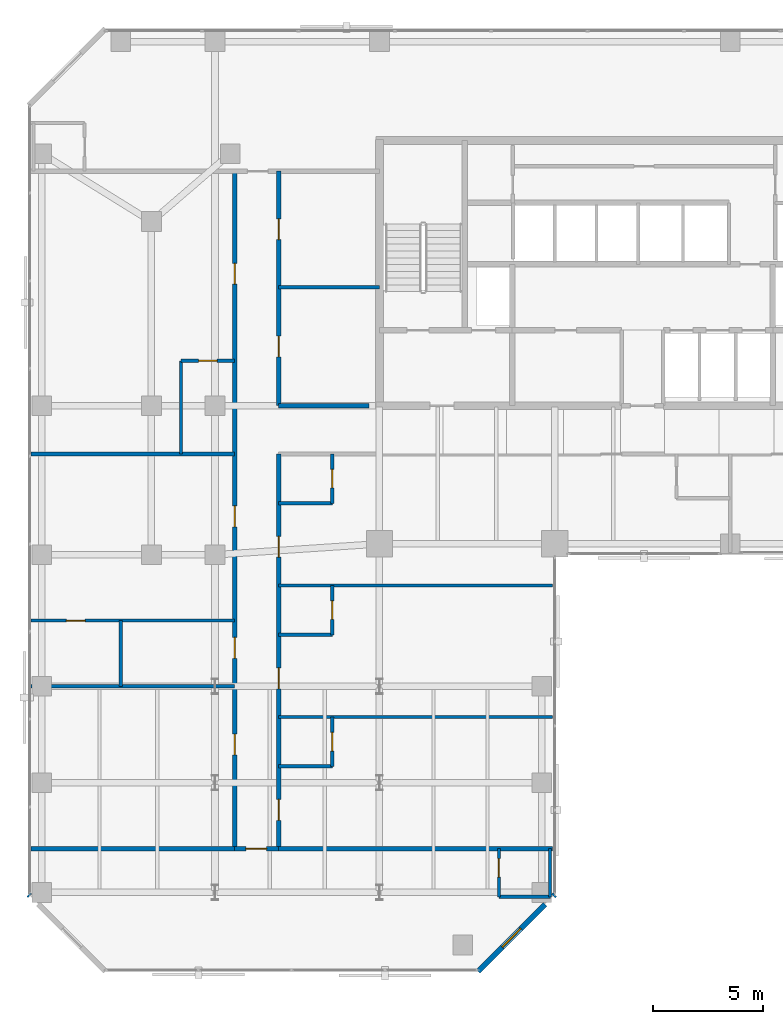
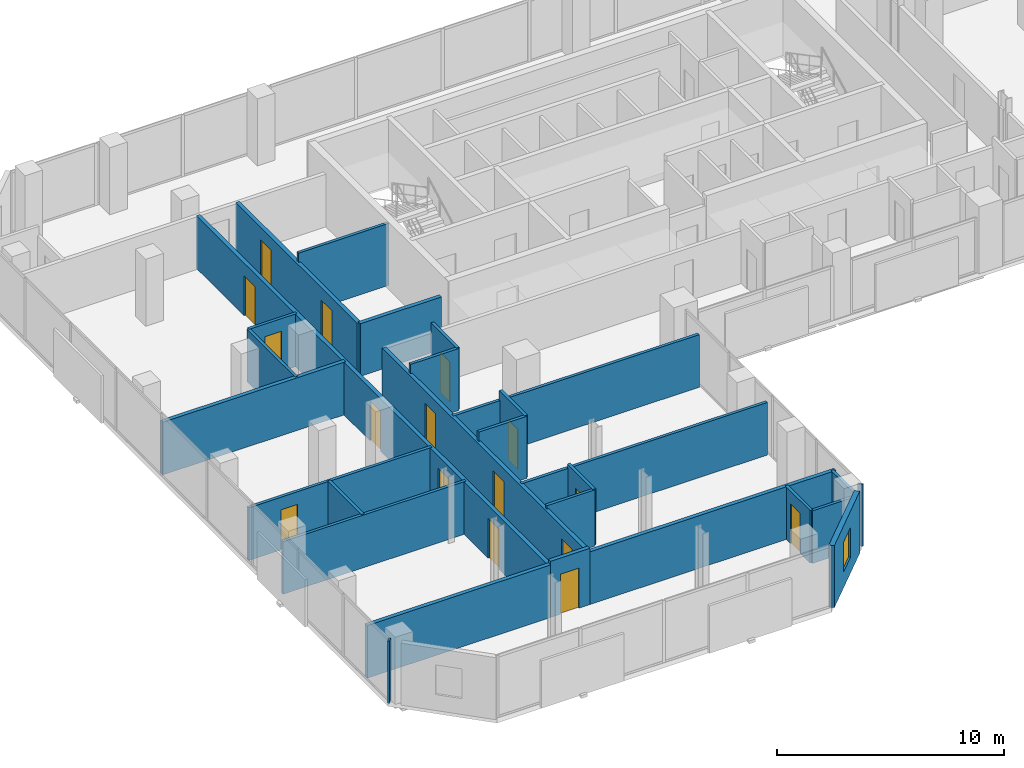
# One storey, part 28 of 34: 28 walls, 16 doors, 1 window, 17 openings.
"""IFC4 building model written with IfcOpenShell, lengths in metres."""

from ifc_helpers import new_model, si_unit, direction, frame, frame_2d, origin, place, context, subcontext, project, spatial, rectangle, extrude, material, layer, layer_set, type_object, element, fill, save


model = new_model("IFC4")

# Units and contexts
model_context = context("Model", 3, precision=1e-05, world=origin(), true_north=direction((0.0, 1.0)))
body_context = subcontext(model_context, "Body", "Model", "MODEL_VIEW")
ifc_project = project(units=[si_unit("LENGTHUNIT", "METRE"), si_unit("AREAUNIT", "SQUARE_METRE"), si_unit("VOLUMEUNIT", "CUBIC_METRE"), si_unit("PLANEANGLEUNIT", "RADIAN"), si_unit("MASSUNIT", "GRAM", prefix="KILO")], contexts=[model_context])

# Site, building, storey
site_placement = place(None, origin())
site = spatial("IfcSite", under=ifc_project, at=site_placement, CompositionType="ELEMENT")
building_placement = place(site_placement, origin())
building = spatial("IfcBuilding", under=site, at=building_placement, Name="Catumbela Crestline Tower", CompositionType="ELEMENT")
storey_placement = place(building_placement, frame((0.0, 0.0, 97.2)))
storey = spatial("IfcBuildingStorey", under=building, at=storey_placement, Name="L24", CompositionType="ELEMENT", Elevation=97.2)

# Walls
ifc_material_1 = material(Name="Acoustic gypsum and mineral-wool partition")
ifc_layer_1 = layer(ifc_material_1, 0.2, Name="Acoustic gypsum and mineral-wool partition")
ifc_layer_set_1 = layer_set([ifc_layer_1], Name="Acoustic gypsum and mineral-wool partition")
wall_type_1 = type_object("IfcWallType", Name="WC-200", PredefinedType="PARTITIONING", material=ifc_layer_set_1)
wall_1_placement = place(storey_placement, frame((0.1, 28.6, 0.0), z_axis=(0.0, 0.0, 1.0), x_axis=(1.0, 0.0, 0.0)))
element("IfcWall", 1, at=wall_1_placement, inside=storey, type_object=wall_type_1, Name="L24 Interior Partition PW-L24-Z2CW-N1", PredefinedType="PARTITIONING", context=body_context, shape_type="SweptSolid", body=[
    extrude(rectangle(XDim=9.3, YDim=0.2, at=frame_2d((4.65, 0.0))), origin(), (0.0, 0.0, 1.0), 2.83),
])
wall_2_placement = place(storey_placement, frame((11.4, 30.8, 0.0), z_axis=(0.0, 0.0, 1.0), x_axis=(1.0, 0.0, 0.0)))
element("IfcWall", 2, at=wall_2_placement, inside=storey, type_object=wall_type_1, Name="L24 Interior Partition PW-L24-Z2CW-N3", PredefinedType="PARTITIONING", context=body_context, shape_type="SweptSolid", body=[
    extrude(rectangle(XDim=4.13, YDim=0.2, at=frame_2d((2.065, 0.0))), origin(), (0.0, 0.0, 1.0), 2.83),
])

# Wall, openings, doors
wall_3_placement = place(storey_placement, frame((9.4, 10.6, 0.0), z_axis=(0.0, 0.0, 1.0), x_axis=(0.0, 1.0, 0.0)))
wall_3 = element("IfcWall", 3, at=wall_3_placement, inside=storey, type_object=wall_type_1, Name="L24 Interior Partition PW-L24-STWC-ENT", PredefinedType="PARTITIONING", context=body_context, shape_type="SweptSolid", body=[
    extrude(rectangle(XDim=30.9, YDim=0.2, at=frame_2d((15.45, 0.0))), origin(), (0.0, 0.0, 1.0), 2.83),
])
opening_1_placement = place(wall_3_placement, frame((8.6794, 0.0, 0.0)))
opening_1 = element("IfcOpeningElement", 4, at=opening_1_placement, cuts=wall_3, Name="Opening DF6-095", PredefinedType="OPENING", context=body_context, shape_type="SweptSolid", body=[
    extrude(rectangle(XDim=0.95, YDim=2.15, at=frame_2d((0.475, 1.075))), frame((0.0, 0.11, 0.0), z_axis=(0.0, -1.0, 0.0), x_axis=(1.0, 0.0, 0.0)), (0.0, 0.0, 1.0), 0.22),
])
opening_2_placement = place(wall_3_placement, frame((14.6795, 0.0, 0.0)))
opening_2 = element("IfcOpeningElement", 5, at=opening_2_placement, cuts=wall_3, Name="Opening DF6-095", PredefinedType="OPENING", context=body_context, shape_type="SweptSolid", body=[
    extrude(rectangle(XDim=0.95, YDim=2.15, at=frame_2d((0.475, 1.075))), frame((0.0, 0.11, 0.0), z_axis=(0.0, -1.0, 0.0), x_axis=(1.0, 0.0, 0.0)), (0.0, 0.0, 1.0), 0.22),
])
opening_3_placement = place(wall_3_placement, frame((4.2733, 0.0, 0.0)))
opening_3 = element("IfcOpeningElement", 6, at=opening_3_placement, cuts=wall_3, Name="Opening DF6-095", PredefinedType="OPENING", context=body_context, shape_type="SweptSolid", body=[
    extrude(rectangle(XDim=0.95, YDim=2.15, at=frame_2d((0.475, 1.075))), frame((0.0, 0.11, 0.0), z_axis=(0.0, -1.0, 0.0), x_axis=(1.0, 0.0, 0.0)), (0.0, 0.0, 1.0), 0.22),
])
opening_4_placement = place(wall_3_placement, frame((25.745, 0.0, 0.0)))
opening_4 = element("IfcOpeningElement", 7, at=opening_4_placement, cuts=wall_3, Name="Opening DF6-095", PredefinedType="OPENING", context=body_context, shape_type="SweptSolid", body=[
    extrude(rectangle(XDim=0.95, YDim=2.15, at=frame_2d((0.475, 1.075))), frame((0.0, 0.11, 0.0), z_axis=(0.0, -1.0, 0.0), x_axis=(1.0, 0.0, 0.0)), (0.0, 0.0, 1.0), 0.22),
])
ifc_material_2 = material(Name="Aluminium alloy AW-6060-T66", Category="aluminium")
door_type_1 = type_object("IfcDoorType", Name="DF6-095", OperationType="NOTDEFINED", PredefinedType="DOOR", material=ifc_material_2)
door_1_placement = place(opening_1_placement, origin())
door_1 = element("IfcDoor", 8, at=door_1_placement, inside=storey, type_object=door_type_1, Name="L24 Interior Door DR-L24-STWC-ENT", OperationType="SINGLE_SWING_RIGHT", OverallHeight=2.15, OverallWidth=0.95, PredefinedType="DOOR", context=body_context, shape_type="SweptSolid", body=[
    extrude(rectangle(XDim=0.95, YDim=2.15, at=frame_2d((0.475, 1.075))), frame((0.0, 0.025, 0.0), z_axis=(0.0, -1.0, 0.0), x_axis=(1.0, 0.0, 0.0)), (0.0, 0.0, 1.0), 0.05),
])
fill(opening_1, door_1)
door_2_placement = place(opening_2_placement, origin())
door_2 = element("IfcDoor", 9, at=door_2_placement, inside=storey, type_object=door_type_1, Name="L24 Interior Door DR-L24-HKP-ENT", OperationType="SINGLE_SWING_RIGHT", OverallHeight=2.15, OverallWidth=0.95, PredefinedType="DOOR", context=body_context, shape_type="SweptSolid", body=[
    extrude(rectangle(XDim=0.95, YDim=2.15, at=frame_2d((0.475, 1.075))), frame((0.0, 0.025, 0.0), z_axis=(0.0, -1.0, 0.0), x_axis=(1.0, 0.0, 0.0)), (0.0, 0.0, 1.0), 0.05),
])
fill(opening_2, door_2)
door_3_placement = place(opening_3_placement, origin())
door_3 = element("IfcDoor", 10, at=door_3_placement, inside=storey, type_object=door_type_1, Name="L24 Interior Door DR-L24-WEXT-ENT", OperationType="SINGLE_SWING_RIGHT", OverallHeight=2.15, OverallWidth=0.95, PredefinedType="DOOR", context=body_context, shape_type="SweptSolid", body=[
    extrude(rectangle(XDim=0.95, YDim=2.15, at=frame_2d((0.475, 1.075))), frame((0.0, 0.025, 0.0), z_axis=(0.0, -1.0, 0.0), x_axis=(1.0, 0.0, 0.0)), (0.0, 0.0, 1.0), 0.05),
])
fill(opening_3, door_3)
door_4_placement = place(opening_4_placement, origin())
door_4 = element("IfcDoor", 11, at=door_4_placement, inside=storey, type_object=door_type_1, Name="L24 Interior Door DR-L24-Z2NW1-ENT", OperationType="SINGLE_SWING_LEFT", OverallHeight=2.15, OverallWidth=0.95, PredefinedType="DOOR", context=body_context, shape_type="SweptSolid", body=[
    extrude(rectangle(XDim=0.95, YDim=2.15, at=frame_2d((0.475, 1.075))), frame((0.0, 0.025, 0.0), z_axis=(0.0, -1.0, 0.0), x_axis=(1.0, 0.0, 0.0)), (0.0, 0.0, 1.0), 0.05),
])
fill(opening_4, door_4)

wall_4_placement = place(storey_placement, frame((11.4, 30.8, 0.0), z_axis=(0.0, 0.0, 1.0), x_axis=(0.0, 1.0, 0.0)))
wall_4 = element("IfcWall", 12, at=wall_4_placement, inside=storey, type_object=wall_type_1, Name="L24 Interior Partition PW-L24-Z2NE1-ENT", PredefinedType="PARTITIONING", context=body_context, shape_type="SweptSolid", body=[
    extrude(rectangle(XDim=10.7, YDim=0.2, at=frame_2d((5.35, 0.0))), origin(), (0.0, 0.0, 1.0), 2.83),
])
opening_5_placement = place(wall_4_placement, frame((2.225, 0.0, 0.0)))
opening_5 = element("IfcOpeningElement", 13, at=opening_5_placement, cuts=wall_4, Name="Opening DF6-095", PredefinedType="OPENING", context=body_context, shape_type="SweptSolid", body=[
    extrude(rectangle(XDim=0.95, YDim=2.15, at=frame_2d((0.475, 1.075))), frame((0.0, 0.11, 0.0), z_axis=(0.0, -1.0, 0.0), x_axis=(1.0, 0.0, 0.0)), (0.0, 0.0, 1.0), 0.22),
])
opening_6_placement = place(wall_4_placement, frame((7.575, 0.0, 0.0)))
opening_6 = element("IfcOpeningElement", 14, at=opening_6_placement, cuts=wall_4, Name="Opening DF6-095", PredefinedType="OPENING", context=body_context, shape_type="SweptSolid", body=[
    extrude(rectangle(XDim=0.95, YDim=2.15, at=frame_2d((0.475, 1.075))), frame((0.0, 0.11, 0.0), z_axis=(0.0, -1.0, 0.0), x_axis=(1.0, 0.0, 0.0)), (0.0, 0.0, 1.0), 0.22),
])
door_5_placement = place(opening_5_placement, origin())
door_5 = element("IfcDoor", 15, at=door_5_placement, inside=storey, type_object=door_type_1, Name="L24 Interior Door DR-L24-Z2NE1-ENT", OperationType="SINGLE_SWING_LEFT", OverallHeight=2.15, OverallWidth=0.95, PredefinedType="DOOR", context=body_context, shape_type="SweptSolid", body=[
    extrude(rectangle(XDim=0.95, YDim=2.15, at=frame_2d((0.475, 1.075))), frame((0.0, 0.025, 0.0), z_axis=(0.0, -1.0, 0.0), x_axis=(1.0, 0.0, 0.0)), (0.0, 0.0, 1.0), 0.05),
])
fill(opening_5, door_5)
door_6_placement = place(opening_6_placement, origin())
door_6 = element("IfcDoor", 16, at=door_6_placement, inside=storey, type_object=door_type_1, Name="L24 Interior Door DR-L24-Z2NE2-ENT", OperationType="SINGLE_SWING_RIGHT", OverallHeight=2.15, OverallWidth=0.95, PredefinedType="DOOR", context=body_context, shape_type="SweptSolid", body=[
    extrude(rectangle(XDim=0.95, YDim=2.15, at=frame_2d((0.475, 1.075))), frame((0.0, 0.025, 0.0), z_axis=(0.0, -1.0, 0.0), x_axis=(1.0, 0.0, 0.0)), (0.0, 0.0, 1.0), 0.05),
])
fill(opening_6, door_6)

# Wall, opening, door
wall_5_placement = place(storey_placement, frame((9.4, 10.6, 0.0), z_axis=(0.0, 0.0, 1.0), x_axis=(1.0, 0.0, 0.0)))
wall_5 = element("IfcWall", 17, at=wall_5_placement, inside=storey, type_object=wall_type_1, Name="L24 Interior Partition PW-L24-STIP-ENT", PredefinedType="PARTITIONING", context=body_context, shape_type="SweptSolid", body=[
    extrude(rectangle(XDim=2.0, YDim=0.2, at=frame_2d((1.0, 0.0))), origin(), (0.0, 0.0, 1.0), 3.02),
])
opening_7_placement = place(wall_5_placement, frame((0.5025, 0.0, 0.0)))
opening_7 = element("IfcOpeningElement", 18, at=opening_7_placement, cuts=wall_5, Name="Opening DF6-095", PredefinedType="OPENING", context=body_context, shape_type="SweptSolid", body=[
    extrude(rectangle(XDim=0.95, YDim=2.15, at=frame_2d((0.475, 1.075))), frame((0.0, 0.11, 0.0), z_axis=(0.0, -1.0, 0.0), x_axis=(1.0, 0.0, 0.0)), (0.0, 0.0, 1.0), 0.22),
])
door_7_placement = place(opening_7_placement, origin())
door_7 = element("IfcDoor", 19, at=door_7_placement, inside=storey, type_object=door_type_1, Name="L24 Interior Door DR-L24-STIP-ENT", OperationType="SINGLE_SWING_LEFT", OverallHeight=2.15, OverallWidth=0.95, PredefinedType="DOOR", context=body_context, shape_type="SweptSolid", body=[
    extrude(rectangle(XDim=0.95, YDim=2.15, at=frame_2d((0.475, 1.075))), frame((0.0, 0.025, 0.0), z_axis=(0.0, -1.0, 0.0), x_axis=(1.0, 0.0, 0.0)), (0.0, 0.0, 1.0), 0.05),
])
fill(opening_7, door_7)

# Wall, openings, doors
wall_6_placement = place(storey_placement, frame((11.4, 10.6, 0.0), z_axis=(0.0, 0.0, 1.0), x_axis=(0.0, 1.0, 0.0)))
wall_6 = element("IfcWall", 20, at=wall_6_placement, inside=storey, type_object=wall_type_1, Name="L24 Interior Partition PW-L24-SW1-ENT", PredefinedType="PARTITIONING", context=body_context, shape_type="SweptSolid", body=[
    extrude(rectangle(XDim=18.0, YDim=0.2, at=frame_2d((9.0, 0.0))), origin(), (0.0, 0.0, 1.0), 2.83),
])
opening_8_placement = place(wall_6_placement, frame((1.29, 0.0, 0.0)))
opening_8 = element("IfcOpeningElement", 21, at=opening_8_placement, cuts=wall_6, Name="Opening DF6-095", PredefinedType="OPENING", context=body_context, shape_type="SweptSolid", body=[
    extrude(rectangle(XDim=0.95, YDim=2.15, at=frame_2d((0.475, 1.075))), frame((0.0, 0.11, 0.0), z_axis=(0.0, -1.0, 0.0), x_axis=(1.0, 0.0, 0.0)), (0.0, 0.0, 1.0), 0.22),
])
opening_9_placement = place(wall_6_placement, frame((7.29, 0.0, 0.0)))
opening_9 = element("IfcOpeningElement", 22, at=opening_9_placement, cuts=wall_6, Name="Opening DF6-095", PredefinedType="OPENING", context=body_context, shape_type="SweptSolid", body=[
    extrude(rectangle(XDim=0.95, YDim=2.15, at=frame_2d((0.475, 1.075))), frame((0.0, 0.11, 0.0), z_axis=(0.0, -1.0, 0.0), x_axis=(1.0, 0.0, 0.0)), (0.0, 0.0, 1.0), 0.22),
])
opening_10_placement = place(wall_6_placement, frame((13.29, 0.0, 0.0)))
opening_10 = element("IfcOpeningElement", 23, at=opening_10_placement, cuts=wall_6, Name="Opening DF6-095", PredefinedType="OPENING", context=body_context, shape_type="SweptSolid", body=[
    extrude(rectangle(XDim=0.95, YDim=2.15, at=frame_2d((0.475, 1.075))), frame((0.0, 0.11, 0.0), z_axis=(0.0, -1.0, 0.0), x_axis=(1.0, 0.0, 0.0)), (0.0, 0.0, 1.0), 0.22),
])
door_8_placement = place(opening_8_placement, origin())
door_8 = element("IfcDoor", 24, at=door_8_placement, inside=storey, type_object=door_type_1, Name="L24 Interior Door DR-L24-SW1-ENT", OperationType="SINGLE_SWING_RIGHT", OverallHeight=2.15, OverallWidth=0.95, PredefinedType="DOOR", context=body_context, shape_type="SweptSolid", body=[
    extrude(rectangle(XDim=0.95, YDim=2.15, at=frame_2d((0.475, 1.075))), frame((0.0, 0.025, 0.0), z_axis=(0.0, -1.0, 0.0), x_axis=(1.0, 0.0, 0.0)), (0.0, 0.0, 1.0), 0.05),
])
fill(opening_8, door_8)
door_9_placement = place(opening_9_placement, origin())
door_9 = element("IfcDoor", 25, at=door_9_placement, inside=storey, type_object=door_type_1, Name="L24 Interior Door DR-L24-SW2-ENT", OperationType="SINGLE_SWING_LEFT", OverallHeight=2.15, OverallWidth=0.95, PredefinedType="DOOR", context=body_context, shape_type="SweptSolid", body=[
    extrude(rectangle(XDim=0.95, YDim=2.15, at=frame_2d((0.475, 1.075))), frame((0.0, 0.025, 0.0), z_axis=(0.0, -1.0, 0.0), x_axis=(1.0, 0.0, 0.0)), (0.0, 0.0, 1.0), 0.05),
])
fill(opening_9, door_9)
door_10_placement = place(opening_10_placement, origin())
door_10 = element("IfcDoor", 26, at=door_10_placement, inside=storey, type_object=door_type_1, Name="L24 Interior Door DR-L24-SW3-ENT", OperationType="SINGLE_SWING_RIGHT", OverallHeight=2.15, OverallWidth=0.95, PredefinedType="DOOR", context=body_context, shape_type="SweptSolid", body=[
    extrude(rectangle(XDim=0.95, YDim=2.15, at=frame_2d((0.475, 1.075))), frame((0.0, 0.025, 0.0), z_axis=(0.0, -1.0, 0.0), x_axis=(1.0, 0.0, 0.0)), (0.0, 0.0, 1.0), 0.05),
])
fill(opening_10, door_10)

# Wall, opening, window
ifc_material_3 = material(Name="Angolan grey-ochre granite", Category="masonry")
ifc_layer_2 = layer(ifc_material_3, 0.25, Name="Angolan grey-ochre granite")
ifc_layer_set_2 = layer_set([ifc_layer_2], Name="Angolan grey-ochre granite")
wall_type_2 = type_object("IfcWallType", Name="WE-250", PredefinedType="STANDARD", material=ifc_layer_set_2)
wall_7_placement = place(storey_placement, frame((20.5, 5.0, 0.0), z_axis=(0.0, 0.0, 1.0), x_axis=(0.707106781187, 0.707106781187, 0.0)))
wall_7 = element("IfcWall", 27, at=wall_7_placement, inside=storey, type_object=wall_type_2, Name="L24 Granite Punched Window Wall 1-1", PredefinedType="STANDARD", context=body_context, shape_type="SweptSolid", body=[
    extrude(rectangle(XDim=4.3298, YDim=0.25, at=frame_2d((2.1649, 0.0))), origin(), (0.0, 0.0, 1.0), 3.33),
])
opening_11_placement = place(wall_7_placement, frame((1.5649, 0.0, 0.85)))
opening_11 = element("IfcOpeningElement", 28, at=opening_11_placement, cuts=wall_7, Name="Opening WN-02", PredefinedType="OPENING", context=body_context, shape_type="SweptSolid", body=[
    extrude(rectangle(XDim=1.2, YDim=1.6, at=frame_2d((0.6, 0.8))), frame((0.0, 0.135, 0.0), z_axis=(0.0, -1.0, 0.0), x_axis=(1.0, 0.0, 0.0)), (0.0, 0.0, 1.0), 0.27),
])
ifc_material_4 = material(Name="Low-E laminated solar-control double glazing", Category="glass")
window_type = type_object("IfcWindowType", Name="WO-1200", PartitioningType="SINGLE_PANEL", PredefinedType="WINDOW", material=ifc_material_4)
window_placement = place(opening_11_placement, origin())
window = element("IfcWindow", 29, at=window_placement, inside=storey, type_object=window_type, Name="L24 Facade Vision Window 140", OverallHeight=1.6, OverallWidth=1.2, PartitioningType="SINGLE_PANEL", PredefinedType="WINDOW", context=body_context, shape_type="SweptSolid", body=[
    extrude(rectangle(XDim=1.2, YDim=1.6, at=frame_2d((0.6, 0.8))), frame((0.0, 0.03, 0.0), z_axis=(0.0, -1.0, 0.0), x_axis=(1.0, 0.0, 0.0)), (0.0, 0.0, 1.0), 0.06),
])
fill(opening_11, window)

# Walls
for number, where, z_axis, x_axis, name in (
    (30, (23.9384, 8.4384, 0.0), (0.0, 0.0, 1.0), (0.707106781187, 0.707106781187, 0.0), "L24 Granite Punched Window Wall 1-2"),
    (31, (0.0, 8.5, 0.0), (0.0, 0.0, 1.0), (0.707106781187, -0.707106781187, 0.0), "L24 Granite Punched Window Wall 10-1"),
):
    element("IfcWall", number, at=place(storey_placement, frame(where, z_axis=z_axis, x_axis=x_axis)), inside=storey, type_object=wall_type_2, Name=name, PredefinedType="STANDARD", context=body_context, shape_type="SweptSolid", body=[
        extrude(rectangle(XDim=0.0871, YDim=0.25, at=frame_2d((0.0436, 0.0))), origin(), (0.0, 0.0, 1.0), 3.33),
    ])
ifc_layer_3 = layer(ifc_material_1, 0.15, Name="Acoustic gypsum and mineral-wool partition")
ifc_layer_set_3 = layer_set([ifc_layer_3], Name="Acoustic gypsum and mineral-wool partition")
wall_type_3 = type_object("IfcWallType", Name="WP-150", PredefinedType="PARTITIONING", material=ifc_layer_set_3)
wall_8_placement = place(storey_placement, frame((0.1, 18.0, 0.0), z_axis=(0.0, 0.0, 1.0), x_axis=(1.0, 0.0, 0.0)))
element("IfcWall", 32, at=wall_8_placement, inside=storey, type_object=wall_type_3, Name="L24 Interior Partition PW-L24-Z2W-1", PredefinedType="PARTITIONING", context=body_context, shape_type="SweptSolid", body=[
    extrude(rectangle(XDim=9.3, YDim=0.15, at=frame_2d((4.65, 0.0))), origin(), (0.0, 0.0, 1.0), 2.83),
])

# Wall, opening, door
wall_9_placement = place(storey_placement, frame((0.1, 21.0, 0.0), z_axis=(0.0, 0.0, 1.0), x_axis=(1.0, 0.0, 0.0)))
wall_9 = element("IfcWall", 33, at=wall_9_placement, inside=storey, type_object=wall_type_3, Name="L24 Interior Partition PW-L24-Z2W-2", PredefinedType="PARTITIONING", context=body_context, shape_type="SweptSolid", body=[
    extrude(rectangle(XDim=9.3, YDim=0.15, at=frame_2d((4.65, 0.0))), origin(), (0.0, 0.0, 1.0), 2.83),
])
opening_12_placement = place(wall_9_placement, frame((1.625, 0.0, 0.0)))
opening_12 = element("IfcOpeningElement", 34, at=opening_12_placement, cuts=wall_9, Name="Opening DI-085", PredefinedType="OPENING", context=body_context, shape_type="SweptSolid", body=[
    extrude(rectangle(XDim=0.85, YDim=2.15, at=frame_2d((0.425, 1.075))), frame((0.0, 0.085, 0.0), z_axis=(0.0, -1.0, 0.0), x_axis=(1.0, 0.0, 0.0)), (0.0, 0.0, 1.0), 0.17),
])
door_type_2 = type_object("IfcDoorType", Name="DI-085", OperationType="NOTDEFINED", PredefinedType="DOOR", material=ifc_material_2)
door_11_placement = place(opening_12_placement, origin())
door_11 = element("IfcDoor", 35, at=door_11_placement, inside=storey, type_object=door_type_2, Name="L24 Interior Door DR-L24-STSTO", OperationType="SINGLE_SWING_LEFT", OverallHeight=2.15, OverallWidth=0.85, PredefinedType="DOOR", context=body_context, shape_type="SweptSolid", body=[
    extrude(rectangle(XDim=0.85, YDim=2.15, at=frame_2d((0.425, 1.075))), frame((0.0, 0.025, 0.0), z_axis=(0.0, -1.0, 0.0), x_axis=(1.0, 0.0, 0.0)), (0.0, 0.0, 1.0), 0.05),
])
fill(opening_12, door_11)

# Walls
wall_10_placement = place(storey_placement, frame((4.2, 18.0, 0.0), z_axis=(0.0, 0.0, 1.0), x_axis=(0.0, 1.0, 0.0)))
element("IfcWall", 36, at=wall_10_placement, inside=storey, type_object=wall_type_3, Name="L24 Interior Partition PW-L24-Z2W-WCX", PredefinedType="PARTITIONING", context=body_context, shape_type="SweptSolid", body=[
    extrude(rectangle(XDim=3.0, YDim=0.15, at=frame_2d((1.5, 0.0))), origin(), (0.0, 0.0, 1.0), 2.83),
])
wall_11_placement = place(storey_placement, frame((6.95, 28.6, 0.0), z_axis=(0.0, 0.0, 1.0), x_axis=(0.0, 1.0, 0.0)))
element("IfcWall", 37, at=wall_11_placement, inside=storey, type_object=wall_type_3, Name="L24 Interior Partition PW-L24-Z2NW1-BWW", PredefinedType="PARTITIONING", context=body_context, shape_type="SweptSolid", body=[
    extrude(rectangle(XDim=4.25, YDim=0.15, at=frame_2d((2.125, 0.0))), origin(), (0.0, 0.0, 1.0), 2.83),
])

# Wall, opening, door
wall_12_placement = place(storey_placement, frame((6.95, 32.85, 0.0), z_axis=(0.0, 0.0, 1.0), x_axis=(1.0, 0.0, 0.0)))
wall_12 = element("IfcWall", 38, at=wall_12_placement, inside=storey, type_object=wall_type_3, Name="L24 Interior Partition PW-L24-Z2NW1-BNW", PredefinedType="PARTITIONING", context=body_context, shape_type="SweptSolid", body=[
    extrude(rectangle(XDim=2.45, YDim=0.15, at=frame_2d((1.225, 0.0))), origin(), (0.0, 0.0, 1.0), 2.83),
])
opening_13_placement = place(wall_12_placement, frame((0.8, 0.0, 0.0)))
opening_13 = element("IfcOpeningElement", 39, at=opening_13_placement, cuts=wall_12, Name="Opening DI-085", PredefinedType="OPENING", context=body_context, shape_type="SweptSolid", body=[
    extrude(rectangle(XDim=0.85, YDim=2.15, at=frame_2d((0.425, 1.075))), frame((0.0, 0.085, 0.0), z_axis=(0.0, -1.0, 0.0), x_axis=(1.0, 0.0, 0.0)), (0.0, 0.0, 1.0), 0.17),
])
door_12_placement = place(opening_13_placement, origin())
door_12 = element("IfcDoor", 40, at=door_12_placement, inside=storey, type_object=door_type_2, Name="L24 Interior Door DR-L24-Z2NW1-BTH", OperationType="SINGLE_SWING_RIGHT", OverallHeight=2.15, OverallWidth=0.85, PredefinedType="DOOR", context=body_context, shape_type="SweptSolid", body=[
    extrude(rectangle(XDim=0.85, YDim=2.15, at=frame_2d((0.425, 1.075))), frame((0.0, 0.025, 0.0), z_axis=(0.0, -1.0, 0.0), x_axis=(1.0, 0.0, 0.0)), (0.0, 0.0, 1.0), 0.05),
])
fill(opening_13, door_12)

# Walls
wall_13_placement = place(storey_placement, frame((11.4, 36.2, 0.0), z_axis=(0.0, 0.0, 1.0), x_axis=(1.0, 0.0, 0.0)))
element("IfcWall", 41, at=wall_13_placement, inside=storey, type_object=wall_type_3, Name="L24 Interior Partition PW-L24-Z2G0-M", PredefinedType="PARTITIONING", context=body_context, shape_type="SweptSolid", body=[
    extrude(rectangle(XDim=4.6, YDim=0.15, at=frame_2d((2.3, 0.0))), origin(), (0.0, 0.0, 1.0), 3.33),
])
wall_14_placement = place(storey_placement, frame((21.45, 8.4, 0.0), z_axis=(0.0, 0.0, 1.0), x_axis=(1.0, 0.0, 0.0)))
element("IfcWall", 42, at=wall_14_placement, inside=storey, type_object=wall_type_3, Name="L24 Interior Partition PW-L24-STIP-BHW", PredefinedType="PARTITIONING", context=body_context, shape_type="SweptSolid", body=[
    extrude(rectangle(XDim=2.35, YDim=0.15, at=frame_2d((1.175, 0.0))), origin(), (0.0, 0.0, 1.0), 2.83),
])

# Wall, opening, door
wall_15_placement = place(storey_placement, frame((21.45, 8.4, 0.0), z_axis=(0.0, 0.0, 1.0), x_axis=(0.0, 1.0, 0.0)))
wall_15 = element("IfcWall", 43, at=wall_15_placement, inside=storey, type_object=wall_type_3, Name="L24 Interior Partition PW-L24-STIP-BWW", PredefinedType="PARTITIONING", context=body_context, shape_type="SweptSolid", body=[
    extrude(rectangle(XDim=2.2, YDim=0.15, at=frame_2d((1.1, 0.0))), origin(), (0.0, 0.0, 1.0), 2.83),
])
opening_14_placement = place(wall_15_placement, frame((0.8925, 0.0, 0.0)))
opening_14 = element("IfcOpeningElement", 44, at=opening_14_placement, cuts=wall_15, Name="Opening DI-085", PredefinedType="OPENING", context=body_context, shape_type="SweptSolid", body=[
    extrude(rectangle(XDim=0.85, YDim=2.15, at=frame_2d((0.425, 1.075))), frame((0.0, 0.085, 0.0), z_axis=(0.0, -1.0, 0.0), x_axis=(1.0, 0.0, 0.0)), (0.0, 0.0, 1.0), 0.17),
])
door_13_placement = place(opening_14_placement, origin())
door_13 = element("IfcDoor", 45, at=door_13_placement, inside=storey, type_object=door_type_2, Name="L24 Interior Door DR-L24-STIP-BTH", OperationType="SINGLE_SWING_RIGHT", OverallHeight=2.15, OverallWidth=0.85, PredefinedType="DOOR", context=body_context, shape_type="SweptSolid", body=[
    extrude(rectangle(XDim=0.85, YDim=2.15, at=frame_2d((0.425, 1.075))), frame((0.0, 0.025, 0.0), z_axis=(0.0, -1.0, 0.0), x_axis=(1.0, 0.0, 0.0)), (0.0, 0.0, 1.0), 0.05),
])
fill(opening_14, door_13)

# Walls
wall_16_placement = place(storey_placement, frame((23.78, 10.6, 0.0), z_axis=(0.0, 0.0, 1.0), x_axis=(0.0, -1.0, 0.0)))
element("IfcWall", 46, at=wall_16_placement, inside=storey, type_object=wall_type_3, Name="L24 Interior Partition PW-L24-STIP-BCL-2", PredefinedType="PARTITIONING", context=body_context, shape_type="SweptSolid", body=[
    extrude(rectangle(XDim=2.22, YDim=0.15, at=frame_2d((1.11, 0.0))), origin(), (0.0, 0.0, 1.0), 2.83),
])
wall_17_placement = place(storey_placement, frame((11.4, 14.35, 0.0), z_axis=(0.0, 0.0, 1.0), x_axis=(1.0, 0.0, 0.0)))
element("IfcWall", 47, at=wall_17_placement, inside=storey, type_object=wall_type_3, Name="L24 Interior Partition PW-L24-SW1-BSW", PredefinedType="PARTITIONING", context=body_context, shape_type="SweptSolid", body=[
    extrude(rectangle(XDim=2.45, YDim=0.15, at=frame_2d((1.225, 0.0))), origin(), (0.0, 0.0, 1.0), 3.02),
])

# Wall, opening, door
wall_18_placement = place(storey_placement, frame((13.85, 14.35, 0.0), z_axis=(0.0, 0.0, 1.0), x_axis=(0.0, 1.0, 0.0)))
wall_18 = element("IfcWall", 48, at=wall_18_placement, inside=storey, type_object=wall_type_3, Name="L24 Interior Partition PW-L24-SW1-BEW", PredefinedType="PARTITIONING", context=body_context, shape_type="SweptSolid", body=[
    extrude(rectangle(XDim=2.25, YDim=0.15, at=frame_2d((1.125, 0.0))), origin(), (0.0, 0.0, 1.0), 3.02),
])
opening_15_placement = place(wall_18_placement, frame((0.7, 0.0, 0.0)))
opening_15 = element("IfcOpeningElement", 49, at=opening_15_placement, cuts=wall_18, Name="Opening DI-085", PredefinedType="OPENING", context=body_context, shape_type="SweptSolid", body=[
    extrude(rectangle(XDim=0.85, YDim=2.15, at=frame_2d((0.425, 1.075))), frame((0.0, 0.085, 0.0), z_axis=(0.0, -1.0, 0.0), x_axis=(1.0, 0.0, 0.0)), (0.0, 0.0, 1.0), 0.17),
])
door_14_placement = place(opening_15_placement, origin())
door_14 = element("IfcDoor", 50, at=door_14_placement, inside=storey, type_object=door_type_2, Name="L24 Interior Door DR-L24-SW1-BTH", OperationType="SINGLE_SWING_LEFT", OverallHeight=2.15, OverallWidth=0.85, PredefinedType="DOOR", context=body_context, shape_type="SweptSolid", body=[
    extrude(rectangle(XDim=0.85, YDim=2.15, at=frame_2d((0.425, 1.075))), frame((0.0, 0.025, 0.0), z_axis=(0.0, -1.0, 0.0), x_axis=(1.0, 0.0, 0.0)), (0.0, 0.0, 1.0), 0.05),
])
fill(opening_15, door_14)

# Walls
wall_19_placement = place(storey_placement, frame((11.4, 16.6, 0.0), z_axis=(0.0, 0.0, 1.0), x_axis=(1.0, 0.0, 0.0)))
element("IfcWall", 51, at=wall_19_placement, inside=storey, type_object=wall_type_3, Name="L24 Interior Partition PW-L24-SW1-BCL-1", PredefinedType="PARTITIONING", context=body_context, shape_type="SweptSolid", body=[
    extrude(rectangle(XDim=12.5, YDim=0.15, at=frame_2d((6.25, 0.0))), origin(), (0.0, 0.0, 1.0), 2.83),
])
wall_20_placement = place(storey_placement, frame((11.4, 20.35, 0.0), z_axis=(0.0, 0.0, 1.0), x_axis=(1.0, 0.0, 0.0)))
element("IfcWall", 52, at=wall_20_placement, inside=storey, type_object=wall_type_3, Name="L24 Interior Partition PW-L24-SW2-BSW", PredefinedType="PARTITIONING", context=body_context, shape_type="SweptSolid", body=[
    extrude(rectangle(XDim=2.45, YDim=0.15, at=frame_2d((1.225, 0.0))), origin(), (0.0, 0.0, 1.0), 3.33),
])

# Wall, opening, door
wall_21_placement = place(storey_placement, frame((13.85, 20.35, 0.0), z_axis=(0.0, 0.0, 1.0), x_axis=(0.0, 1.0, 0.0)))
wall_21 = element("IfcWall", 53, at=wall_21_placement, inside=storey, type_object=wall_type_3, Name="L24 Interior Partition PW-L24-SW2-BEW", PredefinedType="PARTITIONING", context=body_context, shape_type="SweptSolid", body=[
    extrude(rectangle(XDim=2.25, YDim=0.15, at=frame_2d((1.125, 0.0))), origin(), (0.0, 0.0, 1.0), 3.33),
])
opening_16_placement = place(wall_21_placement, frame((0.7, 0.0, 0.0)))
opening_16 = element("IfcOpeningElement", 54, at=opening_16_placement, cuts=wall_21, Name="Opening DI-085", PredefinedType="OPENING", context=body_context, shape_type="SweptSolid", body=[
    extrude(rectangle(XDim=0.85, YDim=2.15, at=frame_2d((0.425, 1.075))), frame((0.0, 0.085, 0.0), z_axis=(0.0, -1.0, 0.0), x_axis=(1.0, 0.0, 0.0)), (0.0, 0.0, 1.0), 0.17),
])
door_15_placement = place(opening_16_placement, origin())
door_15 = element("IfcDoor", 55, at=door_15_placement, inside=storey, type_object=door_type_2, Name="L24 Interior Door DR-L24-SW2-BTH", OperationType="SINGLE_SWING_LEFT", OverallHeight=2.15, OverallWidth=0.85, PredefinedType="DOOR", context=body_context, shape_type="SweptSolid", body=[
    extrude(rectangle(XDim=0.85, YDim=2.15, at=frame_2d((0.425, 1.075))), frame((0.0, 0.025, 0.0), z_axis=(0.0, -1.0, 0.0), x_axis=(1.0, 0.0, 0.0)), (0.0, 0.0, 1.0), 0.05),
])
fill(opening_16, door_15)

# Walls
wall_22_placement = place(storey_placement, frame((11.4, 22.6, 0.0), z_axis=(0.0, 0.0, 1.0), x_axis=(1.0, 0.0, 0.0)))
element("IfcWall", 56, at=wall_22_placement, inside=storey, type_object=wall_type_3, Name="L24 Interior Partition PW-L24-SW2-BCL-1", PredefinedType="PARTITIONING", context=body_context, shape_type="SweptSolid", body=[
    extrude(rectangle(XDim=12.5, YDim=0.15, at=frame_2d((6.25, 0.0))), origin(), (0.0, 0.0, 1.0), 2.83),
])
wall_23_placement = place(storey_placement, frame((11.4, 26.35, 0.0), z_axis=(0.0, 0.0, 1.0), x_axis=(1.0, 0.0, 0.0)))
element("IfcWall", 57, at=wall_23_placement, inside=storey, type_object=wall_type_3, Name="L24 Interior Partition PW-L24-SW3-BSW", PredefinedType="PARTITIONING", context=body_context, shape_type="SweptSolid", body=[
    extrude(rectangle(XDim=2.45, YDim=0.15, at=frame_2d((1.225, 0.0))), origin(), (0.0, 0.0, 1.0), 3.33),
])

# Wall, opening, door
wall_24_placement = place(storey_placement, frame((13.85, 26.35, 0.0), z_axis=(0.0, 0.0, 1.0), x_axis=(0.0, 1.0, 0.0)))
wall_24 = element("IfcWall", 58, at=wall_24_placement, inside=storey, type_object=wall_type_3, Name="L24 Interior Partition PW-L24-SW3-BEW", PredefinedType="PARTITIONING", context=body_context, shape_type="SweptSolid", body=[
    extrude(rectangle(XDim=2.25, YDim=0.15, at=frame_2d((1.125, 0.0))), origin(), (0.0, 0.0, 1.0), 3.33),
])
opening_17_placement = place(wall_24_placement, frame((0.7, 0.0, 0.0)))
opening_17 = element("IfcOpeningElement", 59, at=opening_17_placement, cuts=wall_24, Name="Opening DI-085", PredefinedType="OPENING", context=body_context, shape_type="SweptSolid", body=[
    extrude(rectangle(XDim=0.85, YDim=2.15, at=frame_2d((0.425, 1.075))), frame((0.0, 0.085, 0.0), z_axis=(0.0, -1.0, 0.0), x_axis=(1.0, 0.0, 0.0)), (0.0, 0.0, 1.0), 0.17),
])
door_16_placement = place(opening_17_placement, origin())
door_16 = element("IfcDoor", 60, at=door_16_placement, inside=storey, type_object=door_type_2, Name="L24 Interior Door DR-L24-SW3-BTH", OperationType="SINGLE_SWING_LEFT", OverallHeight=2.15, OverallWidth=0.85, PredefinedType="DOOR", context=body_context, shape_type="SweptSolid", body=[
    extrude(rectangle(XDim=0.85, YDim=2.15, at=frame_2d((0.425, 1.075))), frame((0.0, 0.025, 0.0), z_axis=(0.0, -1.0, 0.0), x_axis=(1.0, 0.0, 0.0)), (0.0, 0.0, 1.0), 0.05),
])
fill(opening_17, door_16)

# Walls
ifc_layer_4 = layer(ifc_material_1, 0.2, Name="Acoustic gypsum and mineral-wool partition")
ifc_layer_set_4 = layer_set([ifc_layer_4], Name="Acoustic gypsum and mineral-wool partition")
wall_type_4 = type_object("IfcWallType", Name="WY-200", PredefinedType="PARTITIONING", material=ifc_layer_set_4)
wall_25_placement = place(storey_placement, frame((0.1, 10.6, 0.0), z_axis=(0.0, 0.0, 1.0), x_axis=(1.0, 0.0, 0.0)))
element("IfcWall", 61, at=wall_25_placement, inside=storey, type_object=wall_type_4, Name="L24 Interior Partition PW-L24-STIP-WL", PredefinedType="PARTITIONING", context=body_context, shape_type="SweptSolid", body=[
    extrude(rectangle(XDim=9.3, YDim=0.2, at=frame_2d((4.65, 0.0))), origin(), (0.0, 0.0, 1.0), 2.83),
])
wall_26_placement = place(storey_placement, frame((11.4, 10.6, 0.0), z_axis=(0.0, 0.0, 1.0), x_axis=(1.0, 0.0, 0.0)))
element("IfcWall", 62, at=wall_26_placement, inside=storey, type_object=wall_type_4, Name="L24 Interior Partition PW-L24-STIP-WR", PredefinedType="PARTITIONING", context=body_context, shape_type="SweptSolid", body=[
    extrude(rectangle(XDim=12.5, YDim=0.2, at=frame_2d((6.25, 0.0))), origin(), (0.0, 0.0, 1.0), 2.83),
])

save(model, "model.ifc")
